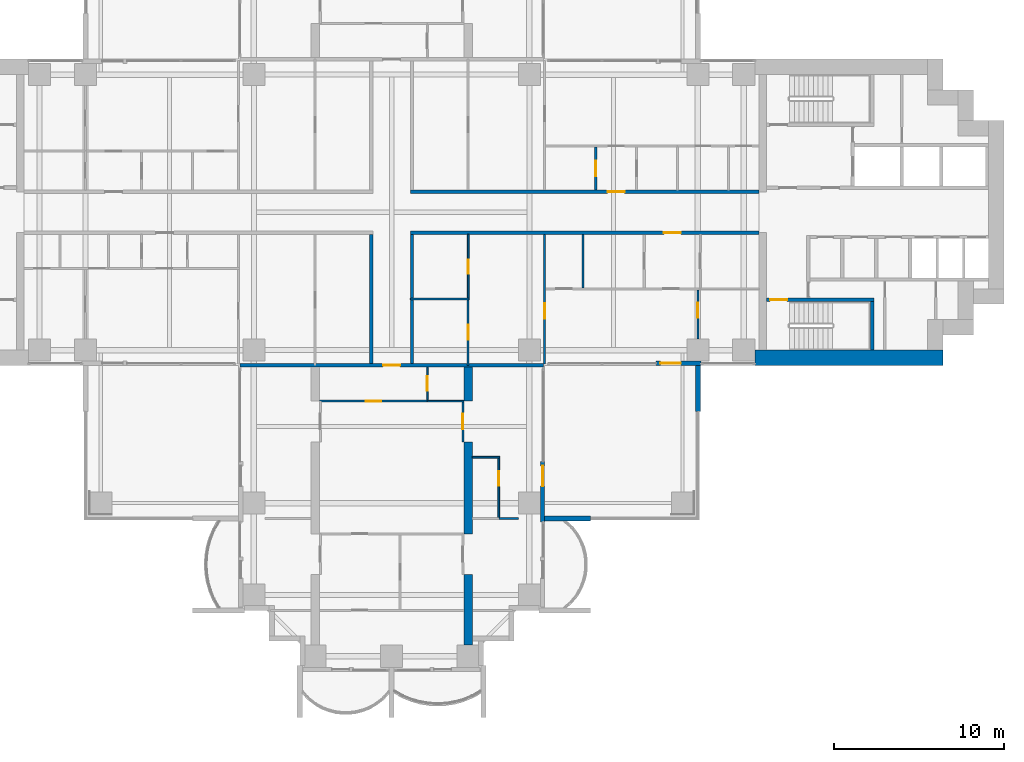
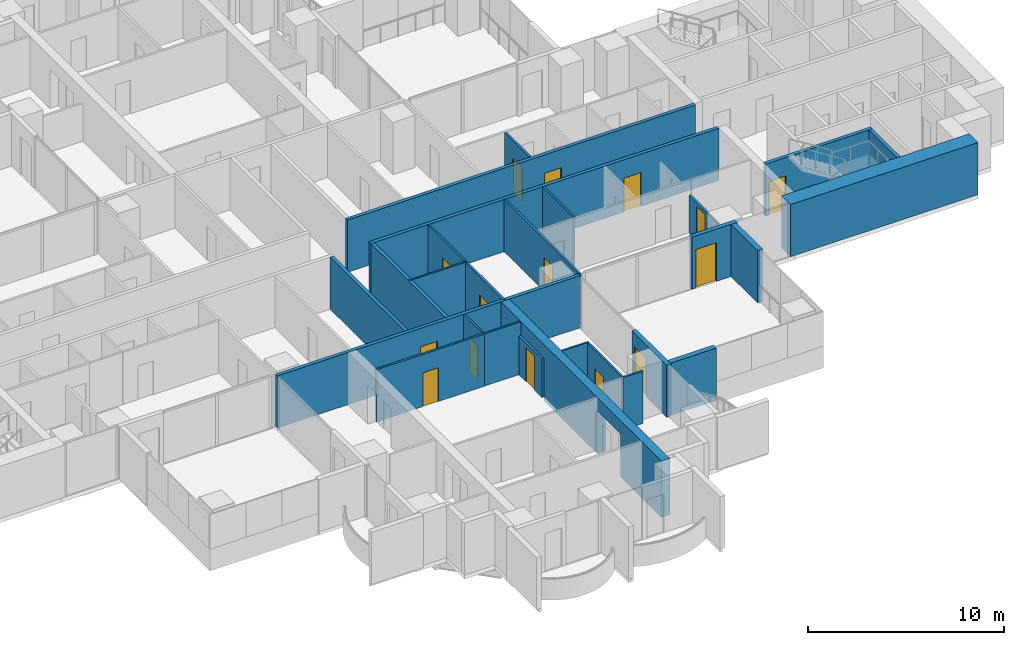
# One storey, part 12 of 20: 27 walls, 15 doors, 15 openings.
"""IFC4 building model written with IfcOpenShell, lengths in metres."""

from ifc_helpers import new_model, si_unit, direction, frame, frame_2d, origin, place, context, subcontext, project, spatial, polyline, rectangle, outline, extrude, material, layer, layer_set, material_profile, profile_set, type_object, element, fill, save


model = new_model("IFC4")

# Units and contexts
model_context = context("Model", 3, precision=1e-05, world=origin(), true_north=direction((0.0, 1.0)))
body_context = subcontext(model_context, "Body", "Model", "MODEL_VIEW")
ifc_project = project(units=[si_unit("LENGTHUNIT", "METRE"), si_unit("AREAUNIT", "SQUARE_METRE"), si_unit("VOLUMEUNIT", "CUBIC_METRE"), si_unit("PLANEANGLEUNIT", "RADIAN"), si_unit("MASSUNIT", "GRAM", prefix="KILO")], contexts=[model_context])

# Site, building, storey
site_placement = place(None, origin())
site = spatial("IfcSite", under=ifc_project, at=site_placement, CompositionType="ELEMENT")
building_placement = place(site_placement, origin())
building = spatial("IfcBuilding", under=site, at=building_placement, Name="Perihelion Cross Residences", CompositionType="ELEMENT")
storey_placement = place(building_placement, frame((0.0, 0.0, 78.5)))
storey = spatial("IfcBuildingStorey", under=building, at=storey_placement, Name="L17", CompositionType="ELEMENT", Elevation=78.5)

# Wall, opening, door
ifc_material_1 = material(Name="Plasterboard partition")
ifc_layer_1 = layer(ifc_material_1, 0.199951171875)
ifc_layer_set_1 = layer_set([ifc_layer_1], Name="Apartment separation wall 200")
wall_type_1 = type_object("IfcWallType", Name="Apartment separation wall 200", PredefinedType="PARTITIONING", material=ifc_layer_set_1)
wall_1_placement = place(storey_placement, frame((1.10009765625, 1.199951171875, 0.0), z_axis=(0.0, 0.0, 1.0), x_axis=(1.0, 0.0, 0.0)))
wall_1 = element("IfcWall", 1, at=wall_1_placement, inside=storey, type_object=wall_type_1, Name="Partition L17 W001", PredefinedType="PARTITIONING", context=body_context, shape_type="SweptSolid", body=[
    extrude(rectangle(XDim=20.5, YDim=0.199951171875, at=frame_2d((10.25, 0.0))), origin(), (0.0, 0.0, 1.0), 3.25),
])
opening_1_placement = place(wall_1_placement, frame((11.60009765625, 0.0, 0.0)))
opening_1 = element("IfcOpeningElement", 2, at=opening_1_placement, cuts=wall_1, Name="Opening L17.A45", PredefinedType="OPENING", context=body_context, shape_type="SweptSolid", body=[
    extrude(rectangle(XDim=1.0, YDim=2.10009765625, at=frame_2d((0.5, 1.050048828125))), frame((0.0, 0.10986328125, 0.0), z_axis=(0.0, -1.0, 0.0), x_axis=(1.0, 0.0, 0.0)), (0.0, 0.0, 1.0), 0.219970703125),
])
ifc_material_2 = material(Name="Timber door leaf", Category="wood")
door_type_1 = type_object("IfcDoorType", Name="Flat entrance door 1000 x 2100", OperationType="SINGLE_SWING_LEFT", PredefinedType="DOOR", material=ifc_material_2)
door_1_placement = place(opening_1_placement, origin())
door_1 = element("IfcDoor", 3, at=door_1_placement, inside=storey, type_object=door_type_1, Name="Door L17.A45", OperationType="SINGLE_SWING_LEFT", OverallHeight=2.10009765625, OverallWidth=1.0, PredefinedType="DOOR", context=body_context, shape_type="SweptSolid", body=[
    extrude(rectangle(XDim=1.0, YDim=2.10009765625, at=frame_2d((0.5, 1.050048828125))), frame((0.0, 0.02490234375, 0.0), z_axis=(0.0, -1.0, 0.0), x_axis=(1.0, 0.0, 0.0)), (0.0, 0.0, 1.0), 0.050048828125),
])
fill(opening_1, door_1)

wall_2_placement = place(storey_placement, frame((21.60009765625, -1.199951171875, 0.0), z_axis=(0.0, 0.0, 1.0), x_axis=(-1.0, 0.0, 0.0)))
wall_2 = element("IfcWall", 4, at=wall_2_placement, inside=storey, type_object=wall_type_1, Name="Partition L17 W003", PredefinedType="PARTITIONING", context=body_context, shape_type="SweptSolid", body=[
    extrude(rectangle(XDim=20.5, YDim=0.199951171875, at=frame_2d((10.25, 0.0))), origin(), (0.0, 0.0, 1.0), 3.25),
])
opening_2_placement = place(wall_2_placement, frame((4.60009765625, 0.0, 0.0)))
opening_2 = element("IfcOpeningElement", 5, at=opening_2_placement, cuts=wall_2, Name="Opening L17.A46", PredefinedType="OPENING", context=body_context, shape_type="SweptSolid", body=[
    extrude(rectangle(XDim=1.0, YDim=2.10009765625, at=frame_2d((0.5, 1.050048828125))), frame((0.0, 0.10986328125, 0.0), z_axis=(0.0, -1.0, 0.0), x_axis=(1.0, 0.0, 0.0)), (0.0, 0.0, 1.0), 0.219970703125),
])
door_2_placement = place(opening_2_placement, origin())
door_2 = element("IfcDoor", 6, at=door_2_placement, inside=storey, type_object=door_type_1, Name="Door L17.A46", OperationType="SINGLE_SWING_RIGHT", OverallHeight=2.10009765625, OverallWidth=1.0, PredefinedType="DOOR", context=body_context, shape_type="SweptSolid", body=[
    extrude(rectangle(XDim=1.0, YDim=2.10009765625, at=frame_2d((0.5, 1.050048828125))), frame((0.0, 0.02490234375, 0.0), z_axis=(0.0, -1.0, 0.0), x_axis=(1.0, 0.0, 0.0)), (0.0, 0.0, 1.0), 0.050048828125),
])
fill(opening_2, door_2)

# Walls
for number, where, z_axis, x_axis, name in (
    (7, (1.199951171875, -1.300048828125, 0.0), (0.0, 0.0, 1.0), (0.0, -1.0, 0.0), "Partition L17 W004"),
    (8, (-1.199951171875, -8.89990234375, 0.0), (0.0, 0.0, 1.0), (0.0, 1.0, 0.0), "Partition L17 W008"),
):
    element("IfcWall", number, at=place(storey_placement, frame(where, z_axis=z_axis, x_axis=x_axis)), inside=storey, type_object=wall_type_1, Name=name, PredefinedType="PARTITIONING", context=body_context, shape_type="SweptSolid", body=[
        extrude(rectangle(XDim=7.599853515625, YDim=0.199951171875, at=frame_2d((3.7998046875, 0.0))), origin(), (0.0, 0.0, 1.0), 3.25),
    ])

# Wall, opening, door
wall_3_placement = place(storey_placement, frame((8.919921875, -9.0, 0.0), z_axis=(0.0, 0.0, 1.0), x_axis=(-1.0, 0.0, 0.0)))
wall_3 = element("IfcWall", 9, at=wall_3_placement, inside=storey, type_object=wall_type_1, Name="Partition L17 W010", PredefinedType="PARTITIONING", context=body_context, shape_type="SweptSolid", body=[
    extrude(rectangle(XDim=17.83984375, YDim=0.199951171875, at=frame_2d((8.919921875, 0.0))), origin(), (0.0, 0.0, 1.0), 3.25),
])
opening_3_placement = place(wall_3_placement, frame((8.419921875, 0.0, 0.0)))
opening_3 = element("IfcOpeningElement", 10, at=opening_3_placement, cuts=wall_3, Name="Opening L17.A38", PredefinedType="OPENING", context=body_context, shape_type="SweptSolid", body=[
    extrude(rectangle(XDim=1.0, YDim=2.10009765625, at=frame_2d((0.5, 1.050048828125))), frame((0.0, 0.10986328125, 0.0), z_axis=(0.0, -1.0, 0.0), x_axis=(1.0, 0.0, 0.0)), (0.0, 0.0, 1.0), 0.219970703125),
])
door_3_placement = place(opening_3_placement, origin())
door_3 = element("IfcDoor", 11, at=door_3_placement, inside=storey, type_object=door_type_1, Name="Door L17.A38", OperationType="SINGLE_SWING_RIGHT", OverallHeight=2.10009765625, OverallWidth=1.0, PredefinedType="DOOR", context=body_context, shape_type="SweptSolid", body=[
    extrude(rectangle(XDim=1.0, YDim=2.10009765625, at=frame_2d((0.5, 1.050048828125))), frame((0.0, 0.02490234375, 0.0), z_axis=(0.0, -1.0, 0.0), x_axis=(1.0, 0.0, 0.0)), (0.0, 0.0, 1.0), 0.050048828125),
])
fill(opening_3, door_3)

ifc_material_3 = material(Name="Concrete C30/37, bronze-clad", Category="concrete")
ifc_layer_2 = layer(ifc_material_3, 0.25)
ifc_layer_set_2 = layer_set([ifc_layer_2], Name="Bronze-clad pier wall 250")
wall_type_2 = type_object("IfcWallType", Name="Bronze-clad pier wall 250", PredefinedType="SOLIDWALL", material=ifc_layer_set_2)
wall_4_placement = place(storey_placement, frame((8.875, -18.199951171875, 0.0), z_axis=(0.0, 0.0, 1.0), x_axis=(0.0, 1.0, 0.0)))
wall_4 = element("IfcWall", 12, at=wall_4_placement, inside=storey, type_object=wall_type_2, Name="Wall FW1 L17 south side east bay 2 pier", PredefinedType="SOLIDWALL", context=body_context, shape_type="SweptSolid", body=[
    extrude(rectangle(XDim=3.550048828125, YDim=0.25, at=frame_2d((1.77490234375, 0.0))), origin(), (0.0, 0.0, 1.0), 3.25),
])
opening_4_placement = place(wall_4_placement, frame((2.10009765625, 0.0, 0.0)))
opening_4 = element("IfcOpeningElement", 13, at=opening_4_placement, cuts=wall_4, Name="Opening L17.E15", PredefinedType="OPENING", context=body_context, shape_type="SweptSolid", body=[
    extrude(rectangle(XDim=1.199951171875, YDim=2.39990234375, at=frame_2d((0.60009765625, 1.199951171875))), frame((0.0, 0.135009765625, 0.0), z_axis=(0.0, -1.0, 0.0), x_axis=(1.0, 0.0, 0.0)), (0.0, 0.0, 1.0), 0.27001953125),
])
ifc_material_4 = material(Name="Bronze anodised aluminium, glazed", Category="aluminium")
door_type_2 = type_object("IfcDoorType", Name="Balcony door 1200 x 2400", OperationType="NOTDEFINED", PredefinedType="DOOR", material=ifc_material_4)
door_4_placement = place(opening_4_placement, origin())
door_4 = element("IfcDoor", 14, at=door_4_placement, inside=storey, type_object=door_type_2, Name="Door L17.E15 south side east bay 2", OperationType="SINGLE_SWING_RIGHT", OverallHeight=2.39990234375, OverallWidth=1.199951171875, PredefinedType="DOOR", context=body_context, shape_type="SweptSolid", body=[
    extrude(rectangle(XDim=1.199951171875, YDim=2.39990234375, at=frame_2d((0.60009765625, 1.199951171875))), frame((0.0, 0.02490234375, 0.0), z_axis=(0.0, -1.0, 0.0), x_axis=(1.0, 0.0, 0.0)), (0.0, 0.0, 1.0), 0.050048828125),
])
fill(opening_4, door_4)

wall_5_placement = place(storey_placement, frame((15.550048828125, -8.875, 0.0), z_axis=(0.0, 0.0, 1.0), x_axis=(1.0, 0.0, 0.0)))
wall_5 = element("IfcWall", 15, at=wall_5_placement, inside=storey, type_object=wall_type_2, Name="Wall FW1 L17 east side south bay 1 pier", PredefinedType="SOLIDWALL", context=body_context, shape_type="SweptSolid", body=[
    extrude(rectangle(XDim=2.64990234375, YDim=0.25, at=frame_2d((1.324951171875, 0.0))), origin(), (0.0, 0.0, 1.0), 3.25),
])
opening_5_placement = place(wall_5_placement, frame((0.25, 0.0, 0.0)))
opening_5 = element("IfcOpeningElement", 16, at=opening_5_placement, cuts=wall_5, Name="Opening L17.E16", PredefinedType="OPENING", context=body_context, shape_type="SweptSolid", body=[
    extrude(rectangle(XDim=1.199951171875, YDim=2.39990234375, at=frame_2d((0.60009765625, 1.199951171875))), frame((0.0, 0.135009765625, 0.0), z_axis=(0.0, -1.0, 0.0), x_axis=(1.0, 0.0, 0.0)), (0.0, 0.0, 1.0), 0.27001953125),
])
door_5_placement = place(opening_5_placement, origin())
door_5 = element("IfcDoor", 17, at=door_5_placement, inside=storey, type_object=door_type_2, Name="Door L17.E16 east side south bay 1", OperationType="SINGLE_SWING_LEFT", OverallHeight=2.39990234375, OverallWidth=1.199951171875, PredefinedType="DOOR", context=body_context, shape_type="SweptSolid", body=[
    extrude(rectangle(XDim=1.199951171875, YDim=2.39990234375, at=frame_2d((0.60009765625, 1.199951171875))), frame((0.0, 0.02490234375, 0.0), z_axis=(0.0, -1.0, 0.0), x_axis=(1.0, 0.0, 0.0)), (0.0, 0.0, 1.0), 0.050048828125),
])
fill(opening_5, door_5)

# Wall
ifc_material_5 = material(Name="Concrete C60/75", Category="concrete")
ifc_layer_3 = layer(ifc_material_5, 0.89990234375)
ifc_layer_set_3 = layer_set([ifc_layer_3], Name="Core wall, outer 900")
wall_type_3 = type_object("IfcWallType", Name="Core wall, outer 900", PredefinedType="SHEAR", material=ifc_layer_set_3)
wall_6_placement = place(storey_placement, frame((21.35009765625, -8.550048828125, 0.0), z_axis=(0.0, 0.0, 1.0), x_axis=(1.0, 0.0, 0.0)))
element("IfcWall", 18, at=wall_6_placement, inside=storey, type_object=wall_type_3, Name="East core core wall, outer", PredefinedType="SHEAR", context=body_context, shape_type="SweptSolid", body=[
    extrude(rectangle(XDim=11.0498046875, YDim=0.89990234375, at=frame_2d((5.52490234375, 0.0))), origin(), (0.0, 0.0, 1.0), 3.25),
])

# Wall, opening, door
ifc_material_6 = material(Name="Plasterboard partition")
ifc_layer_4 = layer(ifc_material_6, 0.1201171875)
ifc_layer_set_4 = layer_set([ifc_layer_4], Name="Infill panel 120")
wall_type_4 = type_object("IfcWallType", Name="Infill panel 120", PredefinedType="PARTITIONING", material=ifc_layer_set_4)
wall_7_placement = place(storey_placement, frame((4.18994140625, -11.10009765625, 0.0), z_axis=(0.0, 0.0, 1.0), x_axis=(0.0, -1.0, 0.0)))
wall_7 = element("IfcWall", 19, at=wall_7_placement, inside=storey, type_object=wall_type_4, Name="Partition L17 WI05", PredefinedType="PARTITIONING", context=body_context, shape_type="SweptSolid", body=[
    extrude(rectangle(XDim=2.39990234375, YDim=0.1201171875, at=frame_2d((1.199951171875, 0.0))), origin(), (0.0, 0.0, 1.0), 2.39990234375),
])
opening_6_placement = place(wall_7_placement, frame((0.75, 0.0, 0.0)))
opening_6 = element("IfcOpeningElement", 20, at=opening_6_placement, cuts=wall_7, Name="Opening L17.A53", PredefinedType="OPENING", context=body_context, shape_type="SweptSolid", body=[
    extrude(rectangle(XDim=0.89990234375, YDim=2.10009765625, at=frame_2d((0.449951171875, 1.050048828125))), frame((0.0, 0.070068359375, 0.0), z_axis=(0.0, -1.0, 0.0), x_axis=(1.0, 0.0, 0.0)), (0.0, 0.0, 1.0), 0.14013671875),
])
ifc_material_7 = material(Name="Timber door leaf", Category="wood")
door_type_3 = type_object("IfcDoorType", Name="Interior room door 900 x 2100", OperationType="SINGLE_SWING_LEFT", PredefinedType="DOOR", material=ifc_material_7)
door_6_placement = place(opening_6_placement, origin())
door_6 = element("IfcDoor", 21, at=door_6_placement, inside=storey, type_object=door_type_3, Name="Door L17.A53", OperationType="SINGLE_SWING_RIGHT", OverallHeight=2.10009765625, OverallWidth=0.89990234375, PredefinedType="DOOR", context=body_context, shape_type="SweptSolid", body=[
    extrude(rectangle(XDim=0.89990234375, YDim=2.10009765625, at=frame_2d((0.449951171875, 1.050048828125))), frame((0.0, 0.02490234375, 0.0), z_axis=(0.0, -1.0, 0.0), x_axis=(1.0, 0.0, 0.0)), (0.0, 0.0, 1.0), 0.050048828125),
])
fill(opening_6, door_6)

ifc_material_8 = material(Name="Plasterboard partition")
ifc_layer_5 = layer(ifc_material_8, 0.1201171875)
ifc_layer_set_5 = layer_set([ifc_layer_5], Name="Partition wall 120")
wall_type_5 = type_object("IfcWallType", Name="Partition wall 120", PredefinedType="PARTITIONING", material=ifc_layer_set_5)
wall_8_placement = place(storey_placement, frame((12.0, 3.840087890625, 0.0), z_axis=(0.0, 0.0, 1.0), x_axis=(0.0, -1.0, 0.0)))
wall_8 = element("IfcWall", 22, at=wall_8_placement, inside=storey, type_object=wall_type_5, Name="Partition L17 W011", PredefinedType="PARTITIONING", context=body_context, shape_type="SweptSolid", body=[
    extrude(rectangle(XDim=2.5400390625, YDim=0.1201171875, at=frame_2d((1.27001953125, 0.0))), origin(), (0.0, 0.0, 1.0), 3.25),
])
opening_7_placement = place(wall_8_placement, frame((0.820068359375, 0.0, 0.0)))
opening_7 = element("IfcOpeningElement", 23, at=opening_7_placement, cuts=wall_8, Name="Opening L17.A03", PredefinedType="OPENING", context=body_context, shape_type="SweptSolid", body=[
    extrude(rectangle(XDim=0.89990234375, YDim=2.10009765625, at=frame_2d((0.449951171875, 1.050048828125))), frame((0.0, 0.070068359375, 0.0), z_axis=(0.0, -1.0, 0.0), x_axis=(1.0, 0.0, 0.0)), (0.0, 0.0, 1.0), 0.14013671875),
])
door_7_placement = place(opening_7_placement, origin())
door_7 = element("IfcDoor", 24, at=door_7_placement, inside=storey, type_object=door_type_3, Name="Door L17.A03", OperationType="SINGLE_SWING_RIGHT", OverallHeight=2.10009765625, OverallWidth=0.89990234375, PredefinedType="DOOR", context=body_context, shape_type="SweptSolid", body=[
    extrude(rectangle(XDim=0.89990234375, YDim=2.10009765625, at=frame_2d((0.449951171875, 1.050048828125))), frame((0.0, 0.02490234375, 0.0), z_axis=(0.0, -1.0, 0.0), x_axis=(1.0, 0.0, 0.0)), (0.0, 0.0, 1.0), 0.050048828125),
])
fill(opening_7, door_7)

# Wall
wall_9_placement = place(storey_placement, frame((11.25, -1.300048828125, 0.0), z_axis=(0.0, 0.0, 1.0), x_axis=(0.0, -1.0, 0.0)))
element("IfcWall", 25, at=wall_9_placement, inside=storey, type_object=wall_type_5, Name="Partition L17 W020", PredefinedType="PARTITIONING", context=body_context, shape_type="SweptSolid", body=[
    extrude(rectangle(XDim=3.139892578125, YDim=0.1201171875, at=frame_2d((1.56982421875, 0.0))), origin(), (0.0, 0.0, 1.0), 3.25),
])

# Wall, opening, door
wall_10_placement = place(storey_placement, frame((9.0, -8.919921875, 0.0), z_axis=(0.0, 0.0, 1.0), x_axis=(0.0, 1.0, 0.0)))
wall_10 = element("IfcWall", 26, at=wall_10_placement, inside=storey, type_object=wall_type_5, Name="Partition L17 W022", PredefinedType="PARTITIONING", context=body_context, shape_type="SweptSolid", body=[
    extrude(rectangle(XDim=7.619873046875, YDim=0.1201171875, at=frame_2d((3.81005859375, 0.0))), origin(), (0.0, 0.0, 1.0), 3.25),
])
opening_8_placement = place(wall_10_placement, frame((2.669921875, 0.0, 0.0)))
opening_8 = element("IfcOpeningElement", 27, at=opening_8_placement, cuts=wall_10, Name="Opening L17.A11", PredefinedType="OPENING", context=body_context, shape_type="SweptSolid", body=[
    extrude(rectangle(XDim=0.89990234375, YDim=2.10009765625, at=frame_2d((0.449951171875, 1.050048828125))), frame((0.0, 0.070068359375, 0.0), z_axis=(0.0, -1.0, 0.0), x_axis=(1.0, 0.0, 0.0)), (0.0, 0.0, 1.0), 0.14013671875),
])
door_8_placement = place(opening_8_placement, origin())
door_8 = element("IfcDoor", 28, at=door_8_placement, inside=storey, type_object=door_type_3, Name="Door L17.A11", OperationType="SINGLE_SWING_LEFT", OverallHeight=2.10009765625, OverallWidth=0.89990234375, PredefinedType="DOOR", context=body_context, shape_type="SweptSolid", body=[
    extrude(rectangle(XDim=0.89990234375, YDim=2.10009765625, at=frame_2d((0.449951171875, 1.050048828125))), frame((0.0, 0.02490234375, 0.0), z_axis=(0.0, -1.0, 0.0), x_axis=(1.0, 0.0, 0.0)), (0.0, 0.0, 1.0), 0.050048828125),
])
fill(opening_8, door_8)

wall_11_placement = place(storey_placement, frame((18.0, -4.56005859375, 0.0), z_axis=(0.0, 0.0, 1.0), x_axis=(0.0, -1.0, 0.0)))
wall_11 = element("IfcWall", 29, at=wall_11_placement, inside=storey, type_object=wall_type_5, Name="Partition L17 W026", PredefinedType="PARTITIONING", context=body_context, shape_type="SweptSolid", body=[
    extrude(rectangle(XDim=2.889892578125, YDim=0.1201171875, at=frame_2d((1.44482421875, 0.0))), origin(), (0.0, 0.0, 1.0), 2.345947265625),
])
opening_9_placement = place(wall_11_placement, frame((0.7451171875, 0.0, 0.0)))
opening_9 = element("IfcOpeningElement", 30, at=opening_9_placement, cuts=wall_11, Name="Opening L17.A09", PredefinedType="OPENING", context=body_context, shape_type="SweptSolid", body=[
    extrude(rectangle(XDim=0.89990234375, YDim=2.10009765625, at=frame_2d((0.449951171875, 1.050048828125))), frame((0.0, 0.070068359375, 0.0), z_axis=(0.0, -1.0, 0.0), x_axis=(1.0, 0.0, 0.0)), (0.0, 0.0, 1.0), 0.14013671875),
])
door_9_placement = place(opening_9_placement, origin())
door_9 = element("IfcDoor", 31, at=door_9_placement, inside=storey, type_object=door_type_3, Name="Door L17.A09", OperationType="SINGLE_SWING_LEFT", OverallHeight=2.10009765625, OverallWidth=0.89990234375, PredefinedType="DOOR", context=body_context, shape_type="SweptSolid", body=[
    extrude(rectangle(XDim=0.89990234375, YDim=2.10009765625, at=frame_2d((0.449951171875, 1.050048828125))), frame((0.0, 0.02490234375, 0.0), z_axis=(0.0, -1.0, 0.0), x_axis=(1.0, 0.0, 0.0)), (0.0, 0.0, 1.0), 0.050048828125),
])
fill(opening_9, door_9)

wall_12_placement = place(storey_placement, frame((4.5, -9.0, 0.0), z_axis=(0.0, 0.0, 1.0), x_axis=(0.0, 1.0, 0.0)))
wall_12 = element("IfcWall", 32, at=wall_12_placement, inside=storey, type_object=wall_type_5, Name="Partition L17 W028", PredefinedType="PARTITIONING", context=body_context, shape_type="SweptSolid", body=[
    extrude(rectangle(XDim=3.89990234375, YDim=0.1201171875, at=frame_2d((1.949951171875, 0.0))), origin(), (0.0, 0.0, 1.0), 3.25),
])
opening_10_placement = place(wall_12_placement, frame((1.5, 0.0, 0.0)))
opening_10 = element("IfcOpeningElement", 33, at=opening_10_placement, cuts=wall_12, Name="Opening L17.A14", PredefinedType="OPENING", context=body_context, shape_type="SweptSolid", body=[
    extrude(rectangle(XDim=0.89990234375, YDim=2.10009765625, at=frame_2d((0.449951171875, 1.050048828125))), frame((0.0, 0.070068359375, 0.0), z_axis=(0.0, -1.0, 0.0), x_axis=(1.0, 0.0, 0.0)), (0.0, 0.0, 1.0), 0.14013671875),
])
door_10_placement = place(opening_10_placement, origin())
door_10 = element("IfcDoor", 34, at=door_10_placement, inside=storey, type_object=door_type_3, Name="Door L17.A14", OperationType="SINGLE_SWING_LEFT", OverallHeight=2.10009765625, OverallWidth=0.89990234375, PredefinedType="DOOR", context=body_context, shape_type="SweptSolid", body=[
    extrude(rectangle(XDim=0.89990234375, YDim=2.10009765625, at=frame_2d((0.449951171875, 1.050048828125))), frame((0.0, 0.02490234375, 0.0), z_axis=(0.0, -1.0, 0.0), x_axis=(1.0, 0.0, 0.0)), (0.0, 0.0, 1.0), 0.050048828125),
])
fill(opening_10, door_10)

wall_13_placement = place(storey_placement, frame((2.10009765625, -11.10009765625, 0.0), z_axis=(0.0, 0.0, 1.0), x_axis=(-1.0, 0.0, 0.0)))
wall_13 = element("IfcWall", 35, at=wall_13_placement, inside=storey, type_object=wall_type_5, Name="Partition L17 W062", PredefinedType="PARTITIONING", context=body_context, shape_type="SweptSolid", body=[
    extrude(rectangle(XDim=6.35009765625, YDim=0.1201171875, at=frame_2d((3.175048828125, 0.0))), origin(), (0.0, 0.0, 1.0), 3.25),
])
opening_11_placement = place(wall_13_placement, frame((2.72509765625, 0.0, 0.0)))
opening_11 = element("IfcOpeningElement", 36, at=opening_11_placement, cuts=wall_13, Name="Opening L17.A40", PredefinedType="OPENING", context=body_context, shape_type="SweptSolid", body=[
    extrude(rectangle(XDim=0.89990234375, YDim=2.10009765625, at=frame_2d((0.449951171875, 1.050048828125))), frame((0.0, 0.070068359375, 0.0), z_axis=(0.0, -1.0, 0.0), x_axis=(1.0, 0.0, 0.0)), (0.0, 0.0, 1.0), 0.14013671875),
])
door_11_placement = place(opening_11_placement, origin())
door_11 = element("IfcDoor", 37, at=door_11_placement, inside=storey, type_object=door_type_3, Name="Door L17.A40", OperationType="SINGLE_SWING_RIGHT", OverallHeight=2.10009765625, OverallWidth=0.89990234375, PredefinedType="DOOR", context=body_context, shape_type="SweptSolid", body=[
    extrude(rectangle(XDim=0.89990234375, YDim=2.10009765625, at=frame_2d((0.449951171875, 1.050048828125))), frame((0.0, 0.02490234375, 0.0), z_axis=(0.0, -1.0, 0.0), x_axis=(1.0, 0.0, 0.0)), (0.0, 0.0, 1.0), 0.050048828125),
])
fill(opening_11, door_11)

# Walls
wall_14_placement = place(storey_placement, frame((7.449951171875, -18.0, 0.0), z_axis=(0.0, 0.0, 1.0), x_axis=(-1.0, 0.0, 0.0)))
element("IfcWall", 38, at=wall_14_placement, inside=storey, type_object=wall_type_5, Name="Partition L17 W069", PredefinedType="PARTITIONING", context=body_context, shape_type="SweptSolid", body=[
    extrude(rectangle(XDim=1.14990234375, YDim=0.1201171875, at=frame_2d((0.574951171875, 0.0))), origin(), (0.0, 0.0, 1.0), 3.25),
])
ifc_material_9 = material(Name="Precast concrete C50/60", Category="concrete")
ifc_layer_6 = layer(ifc_material_9, 0.300048828125)
ifc_layer_set_6 = layer_set([ifc_layer_6], Name="Precast concrete C50/60 blade wall 300")
wall_type_6 = type_object("IfcWallType", Name="Precast concrete C50/60 blade wall 300", PredefinedType="SOLIDWALL", material=ifc_layer_set_6)
wall_15_placement = place(storey_placement, frame((9.0, -18.0, 0.0), z_axis=(0.0, 0.0, 1.0), x_axis=(1.0, 0.0, 0.0)))
element("IfcWall", 39, at=wall_15_placement, inside=storey, type_object=wall_type_6, Name="Wall BL1 L17 no. 15", PredefinedType="SOLIDWALL", context=body_context, shape_type="SweptSolid", body=[
    extrude(rectangle(XDim=2.699951171875, YDim=0.300048828125, at=frame_2d((1.35009765625, 0.0))), origin(), (0.0, 0.0, 1.0), 3.25),
])
wall_16_placement = place(storey_placement, frame((18.0, -8.75, 0.0), z_axis=(0.0, 0.0, 1.0), x_axis=(0.0, -1.0, 0.0)))
element("IfcWall", 40, at=wall_16_placement, inside=storey, type_object=wall_type_6, Name="Wall BL1 L17 no. 11", PredefinedType="SOLIDWALL", context=body_context, shape_type="SweptSolid", body=[
    extrude(rectangle(XDim=2.949951171875, YDim=0.300048828125, at=frame_2d((1.47509765625, 0.0))), origin(), (0.0, 0.0, 1.0), 3.25),
])

# Wall, opening, door
ifc_material_10 = material(Name="Concrete C50/60", Category="concrete")
ifc_layer_7 = layer(ifc_material_10, 0.199951171875)
ifc_layer_set_7 = layer_set([ifc_layer_7], Name="Stair wall 200")
wall_type_7 = type_object("IfcWallType", Name="Stair wall 200", PredefinedType="SOLIDWALL", material=ifc_layer_set_7)
wall_17_placement = place(storey_placement, frame((22.050048828125, -5.14990234375, 0.0), z_axis=(0.0, 0.0, 1.0), x_axis=(1.0, 0.0, 0.0)))
wall_17 = element("IfcWall", 41, at=wall_17_placement, inside=storey, type_object=wall_type_7, Name="East core stair wall", PredefinedType="SOLIDWALL", context=body_context, shape_type="SweptSolid", body=[
    extrude(rectangle(XDim=6.300048828125, YDim=0.199951171875, at=frame_2d((3.14990234375, 0.0))), origin(), (0.0, 0.0, 1.0), 3.25),
])
opening_12_placement = place(wall_17_placement, frame((0.199951171875, 0.0, 0.0)))
opening_12 = element("IfcOpeningElement", 42, at=opening_12_placement, cuts=wall_17, Name="Opening L17.C05", PredefinedType="OPENING", context=body_context, shape_type="SweptSolid", body=[
    extrude(rectangle(XDim=1.0, YDim=2.10009765625, at=frame_2d((0.5, 1.050048828125))), frame((0.0, 0.10986328125, 0.0), z_axis=(0.0, -1.0, 0.0), x_axis=(1.0, 0.0, 0.0)), (0.0, 0.0, 1.0), 0.219970703125),
])
ifc_material_11 = material(Name="Steel, powder coated", Category="steel")
door_type_4 = type_object("IfcDoorType", Name="Stair door 1000", OperationType="SINGLE_SWING_LEFT", PredefinedType="DOOR", material=ifc_material_11)
door_12_placement = place(opening_12_placement, origin())
door_12 = element("IfcDoor", 43, at=door_12_placement, inside=storey, type_object=door_type_4, Name="East core stair door", OperationType="SINGLE_SWING_LEFT", OverallHeight=2.10009765625, OverallWidth=1.0, PredefinedType="DOOR", context=body_context, shape_type="SweptSolid", body=[
    extrude(rectangle(XDim=1.0, YDim=2.10009765625, at=frame_2d((0.5, 1.050048828125))), frame((0.0, 0.02490234375, 0.0), z_axis=(0.0, -1.0, 0.0), x_axis=(1.0, 0.0, 0.0)), (0.0, 0.0, 1.0), 0.050048828125),
])
fill(opening_12, door_12)

# Walls
wall_18_placement = place(storey_placement, frame((28.25, -8.10009765625, 0.0), z_axis=(0.0, 0.0, 1.0), x_axis=(0.0, 1.0, 0.0)))
element("IfcWall", 44, at=wall_18_placement, inside=storey, type_object=wall_type_7, Name="East core stair wall", PredefinedType="SOLIDWALL", context=body_context, shape_type="SweptSolid", body=[
    extrude(rectangle(XDim=2.85009765625, YDim=0.199951171875, at=frame_2d((1.425048828125, 0.0))), origin(), (0.0, 0.0, 1.0), 3.25),
])
ifc_material_12 = material(Name="Concrete C60/75", Category="concrete")
ifc_material_profile = material_profile(ifc_material_12, outline(polyline([(0.0, 0.0), (4.14990234375, 0.0), (4.14990234375, 2.64990234375), (6.550048828125, 2.64990234375), (6.550048828125, 0.0), (11.949951171875, 0.0), (11.949951171875, 2.64990234375), (14.35009765625, 2.64990234375), (14.35009765625, 0.0), (16.449951171875, 0.0), (16.449951171875, 3.5), (0.0, 3.5), (0.0, 0.0)])), Name="Tip spine wall")
ifc_profile_set = profile_set([ifc_material_profile], Name="Concrete C60/75")
wall_type_8 = type_object("IfcWallType", Name="Tip spine wall 500 with 2 door openings 16450 long 3500 high concrete C60/75 hand A", PredefinedType="SHEAR", material=ifc_profile_set)
wall_19_placement = place(storey_placement, frame((4.25, -25.449951171875, -0.25), z_axis=(1.0, 0.0, 0.0), x_axis=(0.0, 1.0, 0.0)))
element("IfcWall", 45, at=wall_19_placement, inside=storey, type_object=wall_type_8, Name="Shear wall SW24 L17 south east", PredefinedType="SHEAR", context=body_context, shape_type="SweptSolid", body=[
    extrude(outline(polyline([(0.0, 0.0), (4.14990234375, 0.0), (4.14990234375, 2.64990234375), (6.550048828125, 2.64990234375), (6.550048828125, 0.0), (11.949951171875, 0.0), (11.949951171875, 2.64990234375), (14.35009765625, 2.64990234375), (14.35009765625, 0.0), (16.449951171875, 0.0), (16.449951171875, 3.5), (0.0, 3.5), (0.0, 0.0)])), origin(), (0.0, 0.0, 1.0), 0.5),
])

# Wall, opening, door
ifc_material_13 = material(Name="Plasterboard partition")
ifc_layer_8 = layer(ifc_material_13, 0.10009765625)
ifc_layer_set_8 = layer_set([ifc_layer_8], Name="Wet room wall 100")
wall_type_9 = type_object("IfcWallType", Name="Wet room wall 100", PredefinedType="PARTITIONING", material=ifc_layer_set_8)
wall_20_placement = place(storey_placement, frame((4.5, -5.10009765625, 0.0), z_axis=(0.0, 0.0, 1.0), x_axis=(0.0, 1.0, 0.0)))
wall_20 = element("IfcWall", 46, at=wall_20_placement, inside=storey, type_object=wall_type_9, Name="Partition L17 W027", PredefinedType="PARTITIONING", context=body_context, shape_type="SweptSolid", body=[
    extrude(rectangle(XDim=3.800048828125, YDim=0.10009765625, at=frame_2d((1.89990234375, 0.0))), origin(), (0.0, 0.0, 1.0), 3.25),
])
opening_13_placement = place(wall_20_placement, frame((1.47509765625, 0.0, 0.0)))
opening_13 = element("IfcOpeningElement", 47, at=opening_13_placement, cuts=wall_20, Name="Opening L17.A10", PredefinedType="OPENING", context=body_context, shape_type="SweptSolid", body=[
    extrude(rectangle(XDim=0.85009765625, YDim=2.10009765625, at=frame_2d((0.425048828125, 1.050048828125))), frame((0.0, 0.06005859375, 0.0), z_axis=(0.0, -1.0, 0.0), x_axis=(1.0, 0.0, 0.0)), (0.0, 0.0, 1.0), 0.1201171875),
])
ifc_material_14 = material(Name="Timber door leaf", Category="wood")
door_type_5 = type_object("IfcDoorType", Name="Interior bathroom door 850 x 2100", OperationType="SINGLE_SWING_LEFT", PredefinedType="DOOR", material=ifc_material_14)
door_13_placement = place(opening_13_placement, origin())
door_13 = element("IfcDoor", 48, at=door_13_placement, inside=storey, type_object=door_type_5, Name="Door L17.A10", OperationType="SINGLE_SWING_LEFT", OverallHeight=2.10009765625, OverallWidth=0.85009765625, PredefinedType="DOOR", context=body_context, shape_type="SweptSolid", body=[
    extrude(rectangle(XDim=0.85009765625, YDim=2.10009765625, at=frame_2d((0.425048828125, 1.050048828125))), frame((0.0, 0.02490234375, 0.0), z_axis=(0.0, -1.0, 0.0), x_axis=(1.0, 0.0, 0.0)), (0.0, 0.0, 1.0), 0.050048828125),
])
fill(opening_13, door_13)

# Wall
wall_21_placement = place(storey_placement, frame((4.56005859375, -5.10009765625, 0.0), z_axis=(0.0, 0.0, 1.0), x_axis=(-1.0, 0.0, 0.0)))
element("IfcWall", 49, at=wall_21_placement, inside=storey, type_object=wall_type_9, Name="Partition L17 W029", PredefinedType="PARTITIONING", context=body_context, shape_type="SweptSolid", body=[
    extrude(rectangle(XDim=3.4599609375, YDim=0.10009765625, at=frame_2d((1.72998046875, 0.0))), origin(), (0.0, 0.0, 1.0), 3.25),
])

# Wall, opening, door
wall_22_placement = place(storey_placement, frame((2.10009765625, -9.10009765625, 0.0), z_axis=(0.0, 0.0, 1.0), x_axis=(0.0, -1.0, 0.0)))
wall_22 = element("IfcWall", 50, at=wall_22_placement, inside=storey, type_object=wall_type_9, Name="Partition L17 W061", PredefinedType="PARTITIONING", context=body_context, shape_type="SweptSolid", body=[
    extrude(rectangle(XDim=1.93994140625, YDim=0.10009765625, at=frame_2d((0.969970703125, 0.0))), origin(), (0.0, 0.0, 1.0), 3.25),
])
opening_14_placement = place(wall_22_placement, frame((0.544921875, 0.0, 0.0)))
opening_14 = element("IfcOpeningElement", 51, at=opening_14_placement, cuts=wall_22, Name="Opening L17.A39", PredefinedType="OPENING", context=body_context, shape_type="SweptSolid", body=[
    extrude(rectangle(XDim=0.85009765625, YDim=2.10009765625, at=frame_2d((0.425048828125, 1.050048828125))), frame((0.0, 0.06005859375, 0.0), z_axis=(0.0, -1.0, 0.0), x_axis=(1.0, 0.0, 0.0)), (0.0, 0.0, 1.0), 0.1201171875),
])
door_14_placement = place(opening_14_placement, origin())
door_14 = element("IfcDoor", 52, at=door_14_placement, inside=storey, type_object=door_type_5, Name="Door L17.A39", OperationType="SINGLE_SWING_LEFT", OverallHeight=2.10009765625, OverallWidth=0.85009765625, PredefinedType="DOOR", context=body_context, shape_type="SweptSolid", body=[
    extrude(rectangle(XDim=0.85009765625, YDim=2.10009765625, at=frame_2d((0.425048828125, 1.050048828125))), frame((0.0, 0.02490234375, 0.0), z_axis=(0.0, -1.0, 0.0), x_axis=(1.0, 0.0, 0.0)), (0.0, 0.0, 1.0), 0.050048828125),
])
fill(opening_14, door_14)

# Wall
wall_23_placement = place(storey_placement, frame((4.25, -11.10009765625, 0.0), z_axis=(0.0, 0.0, 1.0), x_axis=(-1.0, 0.0, 0.0)))
element("IfcWall", 53, at=wall_23_placement, inside=storey, type_object=wall_type_9, Name="Partition L17 W063", PredefinedType="PARTITIONING", context=body_context, shape_type="SweptSolid", body=[
    extrude(rectangle(XDim=2.14990234375, YDim=0.10009765625, at=frame_2d((1.074951171875, 0.0))), origin(), (0.0, 0.0, 1.0), 3.25),
])

# Wall, opening, door
wall_24_placement = place(storey_placement, frame((6.300048828125, -17.93994140625, 0.0), z_axis=(0.0, 0.0, 1.0), x_axis=(0.0, 1.0, 0.0)))
wall_24 = element("IfcWall", 54, at=wall_24_placement, inside=storey, type_object=wall_type_9, Name="Partition L17 W067", PredefinedType="PARTITIONING", context=body_context, shape_type="SweptSolid", body=[
    extrude(rectangle(XDim=3.489990234375, YDim=0.10009765625, at=frame_2d((1.7451171875, 0.0))), origin(), (0.0, 0.0, 1.0), 3.25),
])
opening_15_placement = place(wall_24_placement, frame((1.8701171875, 0.0, 0.0)))
opening_15 = element("IfcOpeningElement", 55, at=opening_15_placement, cuts=wall_24, Name="Opening L17.A44", PredefinedType="OPENING", context=body_context, shape_type="SweptSolid", body=[
    extrude(rectangle(XDim=0.85009765625, YDim=2.10009765625, at=frame_2d((0.425048828125, 1.050048828125))), frame((0.0, 0.06005859375, 0.0), z_axis=(0.0, -1.0, 0.0), x_axis=(1.0, 0.0, 0.0)), (0.0, 0.0, 1.0), 0.1201171875),
])
door_15_placement = place(opening_15_placement, origin())
door_15 = element("IfcDoor", 56, at=door_15_placement, inside=storey, type_object=door_type_5, Name="Door L17.A44", OperationType="SINGLE_SWING_LEFT", OverallHeight=2.10009765625, OverallWidth=0.85009765625, PredefinedType="DOOR", context=body_context, shape_type="SweptSolid", body=[
    extrude(rectangle(XDim=0.85009765625, YDim=2.10009765625, at=frame_2d((0.425048828125, 1.050048828125))), frame((0.0, 0.02490234375, 0.0), z_axis=(0.0, -1.0, 0.0), x_axis=(1.0, 0.0, 0.0)), (0.0, 0.0, 1.0), 0.050048828125),
])
fill(opening_15, door_15)

# Wall
wall_25_placement = place(storey_placement, frame((6.35009765625, -14.39990234375, 0.0), z_axis=(0.0, 0.0, 1.0), x_axis=(-1.0, 0.0, 0.0)))
element("IfcWall", 57, at=wall_25_placement, inside=storey, type_object=wall_type_9, Name="Partition L17 W068", PredefinedType="PARTITIONING", context=body_context, shape_type="SweptSolid", body=[
    extrude(rectangle(XDim=1.60009765625, YDim=0.10009765625, at=frame_2d((0.800048828125, 0.0))), origin(), (0.0, 0.0, 1.0), 3.25),
])

save(model, "model.ifc")
